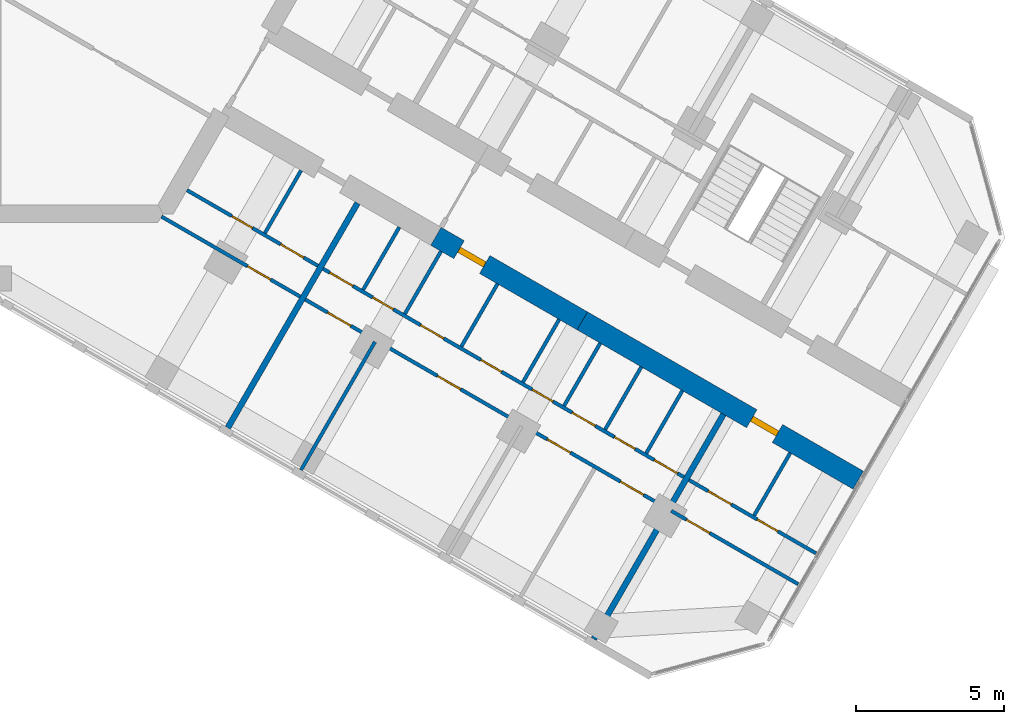
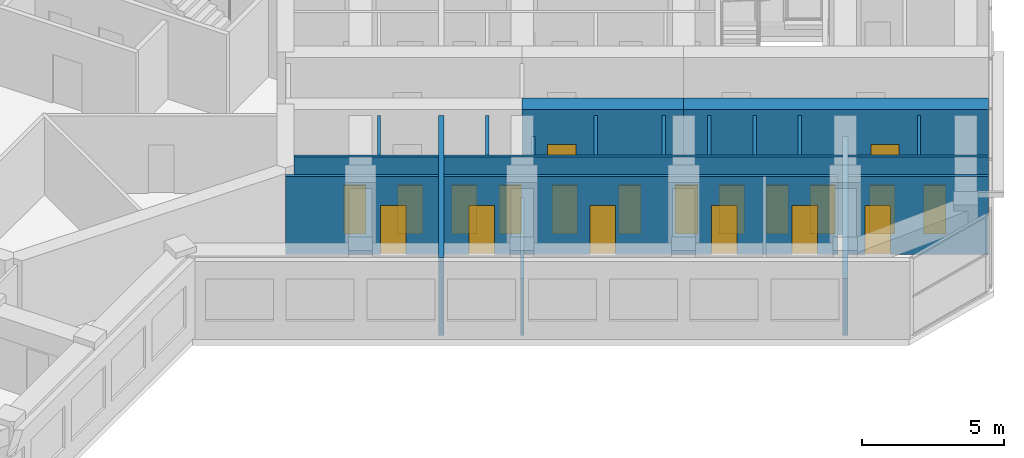
# One storey, part 11 of 16: 20 doors, 20 walls, 20 openings.
"""IFC4 building model written with IfcOpenShell, lengths in metres."""

from ifc_helpers import new_model, si_unit, direction, frame, frame_2d, origin, place, context, subcontext, project, spatial, rectangle, extrude, material, layer, layer_set, type_object, element, fill, save


model = new_model("IFC4")

# Units and contexts
model_context = context("Model", 3, precision=1e-05, world=origin(), true_north=direction((0.0, 1.0)))
body_context = subcontext(model_context, "Body", "Model", "MODEL_VIEW")
ifc_project = project(units=[si_unit("LENGTHUNIT", "METRE"), si_unit("AREAUNIT", "SQUARE_METRE"), si_unit("VOLUMEUNIT", "CUBIC_METRE"), si_unit("PLANEANGLEUNIT", "RADIAN"), si_unit("MASSUNIT", "GRAM", prefix="KILO")], contexts=[model_context])

# Site, building, storey
site_placement = place(None, origin())
site = spatial("IfcSite", under=ifc_project, at=site_placement, CompositionType="ELEMENT")
building_placement = place(site_placement, origin())
building = spatial("IfcBuilding", under=site, at=building_placement, Name="Kosmar Iwan School Tower", CompositionType="ELEMENT")
storey_placement = place(building_placement, frame((0.0, 0.0, 242.39990234375)))
storey = spatial("IfcBuildingStorey", under=building, at=storey_placement, Name="L61", CompositionType="ELEMENT", Elevation=242.39990234375)

# Wall, opening, door
ifc_material_1 = material(Name="Concrete C50/60", Category="concrete")
ifc_layer_1 = layer(ifc_material_1, 0.699951171875)
ifc_layer_set_1 = layer_set([ifc_layer_1], Name="Corridor buttress wall 700")
wall_type_1 = type_object("IfcWallType", Name="Corridor buttress wall 700", PredefinedType="SHEAR", material=ifc_layer_set_1)
wall_1_placement = place(storey_placement, frame((14.7451171875, -10.360595703125, 0.0), z_axis=(0.0, 0.0, 1.0), x_axis=(0.866015111908, -0.50001782563, 0.0)))
wall_1 = element("IfcWall", 1, at=wall_1_placement, inside=storey, type_object=wall_type_1, Name="Corridor wall CR bay 2", PredefinedType="SHEAR", context=body_context, shape_type="SweptSolid", body=[
    extrude(rectangle(XDim=5.699951171875, YDim=0.699951171875, at=frame_2d((2.85009765625, 0.0))), origin(), (0.0, 0.0, 1.0), 3.60009765625),
])
opening_1_placement = place(wall_1_placement, frame((0.89990234375, 0.0, 0.0)))
opening_1 = element("IfcOpeningElement", 2, at=opening_1_placement, cuts=wall_1, Name="Opening D1", PredefinedType="OPENING", context=body_context, shape_type="SweptSolid", body=[
    extrude(rectangle(XDim=1.0, YDim=2.10009765625, at=frame_2d((0.5, 1.050048828125))), frame((0.0, 0.362060546875, 0.0), z_axis=(0.0, -1.0, 0.0), x_axis=(1.0, 0.0, 0.0)), (0.0, 0.0, 1.0), 0.723876953125),
])
ifc_material_2 = material(Name="Timber fire door in steel frame", Category="steel")
door_type_1 = type_object("IfcDoorType", Name="Flat entrance door 1000x2100", OperationType="SINGLE_SWING_LEFT", PredefinedType="DOOR", material=ifc_material_2)
door_1_placement = place(opening_1_placement, origin())
door_1 = element("IfcDoor", 3, at=door_1_placement, inside=storey, type_object=door_type_1, Name="Flat L61-CR2 entrance door", OperationType="SINGLE_SWING_LEFT", OverallHeight=2.10009765625, OverallWidth=1.0, PredefinedType="DOOR", context=body_context, shape_type="SweptSolid", body=[
    extrude(rectangle(XDim=1.0, YDim=2.10009765625, at=frame_2d((0.5, 1.050048828125))), frame((0.0, 0.10009765625, 0.0), z_axis=(0.0, -1.0, 0.0), x_axis=(1.0, 0.0, 0.0)), (0.0, 0.0, 1.0), 0.199951171875),
])
fill(opening_1, door_1)

wall_2_placement = place(storey_placement, frame((19.681396484375, -13.210693359375, 0.0), z_axis=(0.0, 0.0, 1.0), x_axis=(0.866028186671, -0.499995179869, 0.0)))
wall_2 = element("IfcWall", 4, at=wall_2_placement, inside=storey, type_object=wall_type_1, Name="Corridor wall CR bay 3", PredefinedType="SHEAR", context=body_context, shape_type="SweptSolid", body=[
    extrude(rectangle(XDim=10.7451171875, YDim=0.699951171875, at=frame_2d((5.37255859375, 0.0))), origin(), (0.0, 0.0, 1.0), 3.60009765625),
])
opening_2_placement = place(wall_2_placement, frame((6.60009765625, 0.0, 0.0)))
opening_2 = element("IfcOpeningElement", 5, at=opening_2_placement, cuts=wall_2, Name="Opening D1", PredefinedType="OPENING", context=body_context, shape_type="SweptSolid", body=[
    extrude(rectangle(XDim=1.0, YDim=2.10009765625, at=frame_2d((0.5, 1.050048828125))), frame((0.0, 0.362060546875, 0.0), z_axis=(0.0, -1.0, 0.0), x_axis=(1.0, 0.0, 0.0)), (0.0, 0.0, 1.0), 0.723876953125),
])
door_2_placement = place(opening_2_placement, origin())
door_2 = element("IfcDoor", 6, at=door_2_placement, inside=storey, type_object=door_type_1, Name="Flat L61-CR3 entrance door", OperationType="SINGLE_SWING_RIGHT", OverallHeight=2.10009765625, OverallWidth=1.0, PredefinedType="DOOR", context=body_context, shape_type="SweptSolid", body=[
    extrude(rectangle(XDim=1.0, YDim=2.10009765625, at=frame_2d((0.5, 1.050048828125))), frame((0.0, 0.10009765625, 0.0), z_axis=(0.0, -1.0, 0.0), x_axis=(1.0, 0.0, 0.0)), (0.0, 0.0, 1.0), 0.199951171875),
])
fill(opening_2, door_2)

# Wall, openings, doors
ifc_material_3 = material(Name="Gypsum board on steel studs", Category="steel")
ifc_layer_2 = layer(ifc_material_3, 0.1201171875)
ifc_layer_set_2 = layer_set([ifc_layer_2], Name="Dwelling partition 120")
wall_type_2 = type_object("IfcWallType", Name="Dwelling partition 120", PredefinedType="PARTITIONING", material=ifc_layer_set_2)
wall_3_placement = place(storey_placement, frame((6.3486328125, -8.8037109375, 0.0), z_axis=(0.0, 0.0, 1.0), x_axis=(0.86602216432, -0.500005610874, 0.0)))
wall_3 = element("IfcWall", 7, at=wall_3_placement, inside=storey, type_object=wall_type_2, Name="Partition L61-CR1-W1", PredefinedType="PARTITIONING", context=body_context, shape_type="SweptSolid", body=[
    extrude(rectangle(XDim=5.10009765625, YDim=0.1201171875, at=frame_2d((2.550048828125, 0.0))), origin(), (0.0, 0.0, 1.0), 3.35009765625),
])
opening_3_placement = place(wall_3_placement, frame((1.75, 0.0, 0.0)))
opening_3 = element("IfcOpeningElement", 8, at=opening_3_placement, cuts=wall_3, Name="Opening D3", PredefinedType="OPENING", context=body_context, shape_type="SweptSolid", body=[
    extrude(rectangle(XDim=0.800048828125, YDim=2.10009765625, at=frame_2d((0.39990234375, 1.050048828125))), frame((0.0, 0.072021484375, 0.0), z_axis=(0.0, -1.0, 0.0), x_axis=(1.0, 0.0, 0.0)), (0.0, 0.0, 1.0), 0.14404296875),
])
opening_4_placement = place(wall_3_placement, frame((3.64990234375, 0.0, 0.0)))
opening_4 = element("IfcOpeningElement", 9, at=opening_4_placement, cuts=wall_3, Name="Opening D2", PredefinedType="OPENING", context=body_context, shape_type="SweptSolid", body=[
    extrude(rectangle(XDim=0.89990234375, YDim=2.10009765625, at=frame_2d((0.449951171875, 1.050048828125))), frame((0.0, 0.072021484375, 0.0), z_axis=(0.0, -1.0, 0.0), x_axis=(1.0, 0.0, 0.0)), (0.0, 0.0, 1.0), 0.14404296875),
])
ifc_material_4 = material(Name="Timber door in timber frame", Category="wood")
door_type_2 = type_object("IfcDoorType", Name="Internal door 900x2100", OperationType="SINGLE_SWING_LEFT", PredefinedType="DOOR", material=ifc_material_4)
door_3_placement = place(opening_4_placement, origin())
door_3 = element("IfcDoor", 10, at=door_3_placement, inside=storey, type_object=door_type_2, Name="Entrance hall door L61-CR1-S2", OperationType="SINGLE_SWING_RIGHT", OverallHeight=2.10009765625, OverallWidth=0.89990234375, PredefinedType="DOOR", context=body_context, shape_type="SweptSolid", body=[
    extrude(rectangle(XDim=0.89990234375, YDim=2.10009765625, at=frame_2d((0.449951171875, 1.050048828125))), frame((0.0, 0.02490234375, 0.0), z_axis=(0.0, -1.0, 0.0), x_axis=(1.0, 0.0, 0.0)), (0.0, 0.0, 1.0), 0.050048828125),
])
fill(opening_4, door_3)
ifc_material_5 = material(Name="Timber door in timber frame", Category="wood")
door_type_3 = type_object("IfcDoorType", Name="Sanitary room door 800x2100", OperationType="SINGLE_SWING_LEFT", PredefinedType="DOOR", material=ifc_material_5)
door_4_placement = place(opening_3_placement, origin())
door_4 = element("IfcDoor", 11, at=door_4_placement, inside=storey, type_object=door_type_3, Name="Bathroom door L61-CR1-S1", OperationType="SINGLE_SWING_RIGHT", OverallHeight=2.10009765625, OverallWidth=0.800048828125, PredefinedType="DOOR", context=body_context, shape_type="SweptSolid", body=[
    extrude(rectangle(XDim=0.800048828125, YDim=2.10009765625, at=frame_2d((0.39990234375, 1.050048828125))), frame((0.0, 0.02490234375, 0.0), z_axis=(0.0, -1.0, 0.0), x_axis=(1.0, 0.0, 0.0)), (0.0, 0.0, 1.0), 0.050048828125),
])
fill(opening_3, door_4)

# Wall, opening, door
wall_4_placement = place(storey_placement, frame((5.48876953125, -9.693115234375, 0.0), z_axis=(0.0, 0.0, 1.0), x_axis=(0.866028230842, -0.499995103361, 0.0)))
wall_4 = element("IfcWall", 12, at=wall_4_placement, inside=storey, type_object=wall_type_2, Name="Partition L61-CR1-W2", PredefinedType="PARTITIONING", context=body_context, shape_type="SweptSolid", body=[
    extrude(rectangle(XDim=5.39990234375, YDim=0.1201171875, at=frame_2d((2.699951171875, 0.0))), origin(), (0.0, 0.0, 1.0), 3.35009765625),
])
opening_5_placement = place(wall_4_placement, frame((3.35009765625, 0.0, 0.0)))
opening_5 = element("IfcOpeningElement", 13, at=opening_5_placement, cuts=wall_4, Name="Opening D2", PredefinedType="OPENING", context=body_context, shape_type="SweptSolid", body=[
    extrude(rectangle(XDim=0.89990234375, YDim=2.10009765625, at=frame_2d((0.449951171875, 1.050048828125))), frame((0.0, 0.072021484375, 0.0), z_axis=(0.0, -1.0, 0.0), x_axis=(1.0, 0.0, 0.0)), (0.0, 0.0, 1.0), 0.14404296875),
])
door_5_placement = place(opening_5_placement, origin())
door_5 = element("IfcDoor", 14, at=door_5_placement, inside=storey, type_object=door_type_2, Name="Studio living room and kitchen door L61-CR1-F1", OperationType="SINGLE_SWING_RIGHT", OverallHeight=2.10009765625, OverallWidth=0.89990234375, PredefinedType="DOOR", context=body_context, shape_type="SweptSolid", body=[
    extrude(rectangle(XDim=0.89990234375, YDim=2.10009765625, at=frame_2d((0.449951171875, 1.050048828125))), frame((0.0, 0.02490234375, 0.0), z_axis=(0.0, -1.0, 0.0), x_axis=(1.0, 0.0, 0.0)), (0.0, 0.0, 1.0), 0.050048828125),
])
fill(opening_5, door_5)

# Wall
wall_5_placement = place(storey_placement, frame((10.19677734375, -8.138671875, 0.0), z_axis=(0.0, 0.0, 1.0), x_axis=(-0.499959183527, -0.866048967903, 0.0)))
element("IfcWall", 15, at=wall_5_placement, inside=storey, type_object=wall_type_2, Name="Partition L61-CR1-Y1", PredefinedType="PARTITIONING", context=body_context, shape_type="SweptSolid", body=[
    extrude(rectangle(XDim=2.440185546875, YDim=0.1201171875, at=frame_2d((1.22021484375, 0.0))), origin(), (0.0, 0.0, 1.0), 3.35009765625),
])

# Wall, openings, doors
wall_6_placement = place(storey_placement, frame((10.9384765625, -11.453857421875, 0.0), z_axis=(0.0, 0.0, 1.0), x_axis=(0.86602961784, -0.499992700971, 0.0)))
wall_6 = element("IfcWall", 16, at=wall_6_placement, inside=storey, type_object=wall_type_2, Name="Partition L61-CR2-W1", PredefinedType="PARTITIONING", context=body_context, shape_type="SweptSolid", body=[
    extrude(rectangle(XDim=14.050048828125, YDim=0.1201171875, at=frame_2d((7.02490234375, 0.0))), origin(), (0.0, 0.0, 1.0), 3.35009765625),
])
opening_6_placement = place(wall_6_placement, frame((0.262451171875, 0.0, 0.0)))
opening_6 = element("IfcOpeningElement", 17, at=opening_6_placement, cuts=wall_6, Name="Opening D2", PredefinedType="OPENING", context=body_context, shape_type="SweptSolid", body=[
    extrude(rectangle(XDim=0.89990234375, YDim=2.10009765625, at=frame_2d((0.449951171875, 1.050048828125))), frame((0.0, 0.072021484375, 0.0), z_axis=(0.0, -1.0, 0.0), x_axis=(1.0, 0.0, 0.0)), (0.0, 0.0, 1.0), 0.14404296875),
])
opening_7_placement = place(wall_6_placement, frame((1.9375, 0.0, 0.0)))
opening_7 = element("IfcOpeningElement", 18, at=opening_7_placement, cuts=wall_6, Name="Opening D3", PredefinedType="OPENING", context=body_context, shape_type="SweptSolid", body=[
    extrude(rectangle(XDim=0.800048828125, YDim=2.10009765625, at=frame_2d((0.39990234375, 1.050048828125))), frame((0.0, 0.072021484375, 0.0), z_axis=(0.0, -1.0, 0.0), x_axis=(1.0, 0.0, 0.0)), (0.0, 0.0, 1.0), 0.14404296875),
])
opening_8_placement = place(wall_6_placement, frame((3.800048828125, 0.0, 0.0)))
opening_8 = element("IfcOpeningElement", 19, at=opening_8_placement, cuts=wall_6, Name="Opening D2", PredefinedType="OPENING", context=body_context, shape_type="SweptSolid", body=[
    extrude(rectangle(XDim=0.89990234375, YDim=2.10009765625, at=frame_2d((0.449951171875, 1.050048828125))), frame((0.0, 0.072021484375, 0.0), z_axis=(0.0, -1.0, 0.0), x_axis=(1.0, 0.0, 0.0)), (0.0, 0.0, 1.0), 0.14404296875),
])
opening_9_placement = place(wall_6_placement, frame((6.14990234375, 0.0, 0.0)))
opening_9 = element("IfcOpeningElement", 20, at=opening_9_placement, cuts=wall_6, Name="Opening D3", PredefinedType="OPENING", context=body_context, shape_type="SweptSolid", body=[
    extrude(rectangle(XDim=0.800048828125, YDim=2.10009765625, at=frame_2d((0.39990234375, 1.050048828125))), frame((0.0, 0.072021484375, 0.0), z_axis=(0.0, -1.0, 0.0), x_axis=(1.0, 0.0, 0.0)), (0.0, 0.0, 1.0), 0.14404296875),
])
opening_10_placement = place(wall_6_placement, frame((8.14990234375, 0.0, 0.0)))
opening_10 = element("IfcOpeningElement", 21, at=opening_10_placement, cuts=wall_6, Name="Opening D3", PredefinedType="OPENING", context=body_context, shape_type="SweptSolid", body=[
    extrude(rectangle(XDim=0.800048828125, YDim=2.10009765625, at=frame_2d((0.39990234375, 1.050048828125))), frame((0.0, 0.072021484375, 0.0), z_axis=(0.0, -1.0, 0.0), x_axis=(1.0, 0.0, 0.0)), (0.0, 0.0, 1.0), 0.14404296875),
])
opening_11_placement = place(wall_6_placement, frame((9.699951171875, 0.0, 0.0)))
opening_11 = element("IfcOpeningElement", 22, at=opening_11_placement, cuts=wall_6, Name="Opening D2", PredefinedType="OPENING", context=body_context, shape_type="SweptSolid", body=[
    extrude(rectangle(XDim=0.89990234375, YDim=2.10009765625, at=frame_2d((0.449951171875, 1.050048828125))), frame((0.0, 0.072021484375, 0.0), z_axis=(0.0, -1.0, 0.0), x_axis=(1.0, 0.0, 0.0)), (0.0, 0.0, 1.0), 0.14404296875),
])
opening_12_placement = place(wall_6_placement, frame((11.35009765625, 0.0, 0.0)))
opening_12 = element("IfcOpeningElement", 23, at=opening_12_placement, cuts=wall_6, Name="Opening D3", PredefinedType="OPENING", context=body_context, shape_type="SweptSolid", body=[
    extrude(rectangle(XDim=0.800048828125, YDim=2.10009765625, at=frame_2d((0.39990234375, 1.050048828125))), frame((0.0, 0.072021484375, 0.0), z_axis=(0.0, -1.0, 0.0), x_axis=(1.0, 0.0, 0.0)), (0.0, 0.0, 1.0), 0.14404296875),
])
opening_13_placement = place(wall_6_placement, frame((12.89990234375, 0.0, 0.0)))
opening_13 = element("IfcOpeningElement", 24, at=opening_13_placement, cuts=wall_6, Name="Opening D2", PredefinedType="OPENING", context=body_context, shape_type="SweptSolid", body=[
    extrude(rectangle(XDim=0.89990234375, YDim=2.10009765625, at=frame_2d((0.449951171875, 1.050048828125))), frame((0.0, 0.072021484375, 0.0), z_axis=(0.0, -1.0, 0.0), x_axis=(1.0, 0.0, 0.0)), (0.0, 0.0, 1.0), 0.14404296875),
])
door_6_placement = place(opening_6_placement, origin())
door_6 = element("IfcDoor", 25, at=door_6_placement, inside=storey, type_object=door_type_2, Name="Utility room door L61-CR2-S1", OperationType="SINGLE_SWING_LEFT", OverallHeight=2.10009765625, OverallWidth=0.89990234375, PredefinedType="DOOR", context=body_context, shape_type="SweptSolid", body=[
    extrude(rectangle(XDim=0.89990234375, YDim=2.10009765625, at=frame_2d((0.449951171875, 1.050048828125))), frame((0.0, 0.02490234375, 0.0), z_axis=(0.0, -1.0, 0.0), x_axis=(1.0, 0.0, 0.0)), (0.0, 0.0, 1.0), 0.050048828125),
])
fill(opening_6, door_6)
door_7_placement = place(opening_8_placement, origin())
door_7 = element("IfcDoor", 26, at=door_7_placement, inside=storey, type_object=door_type_2, Name="Entrance hall door L61-CR2-S3", OperationType="SINGLE_SWING_LEFT", OverallHeight=2.10009765625, OverallWidth=0.89990234375, PredefinedType="DOOR", context=body_context, shape_type="SweptSolid", body=[
    extrude(rectangle(XDim=0.89990234375, YDim=2.10009765625, at=frame_2d((0.449951171875, 1.050048828125))), frame((0.0, 0.02490234375, 0.0), z_axis=(0.0, -1.0, 0.0), x_axis=(1.0, 0.0, 0.0)), (0.0, 0.0, 1.0), 0.050048828125),
])
fill(opening_8, door_7)
door_8_placement = place(opening_11_placement, origin())
door_8 = element("IfcDoor", 27, at=door_8_placement, inside=storey, type_object=door_type_2, Name="Pantry door L61-CR2-S6", OperationType="SINGLE_SWING_RIGHT", OverallHeight=2.10009765625, OverallWidth=0.89990234375, PredefinedType="DOOR", context=body_context, shape_type="SweptSolid", body=[
    extrude(rectangle(XDim=0.89990234375, YDim=2.10009765625, at=frame_2d((0.449951171875, 1.050048828125))), frame((0.0, 0.02490234375, 0.0), z_axis=(0.0, -1.0, 0.0), x_axis=(1.0, 0.0, 0.0)), (0.0, 0.0, 1.0), 0.050048828125),
])
fill(opening_11, door_8)
door_9_placement = place(opening_13_placement, origin())
door_9 = element("IfcDoor", 28, at=door_9_placement, inside=storey, type_object=door_type_2, Name="Dressing room door L61-CR2-S8", OperationType="SINGLE_SWING_RIGHT", OverallHeight=2.10009765625, OverallWidth=0.89990234375, PredefinedType="DOOR", context=body_context, shape_type="SweptSolid", body=[
    extrude(rectangle(XDim=0.89990234375, YDim=2.10009765625, at=frame_2d((0.449951171875, 1.050048828125))), frame((0.0, 0.02490234375, 0.0), z_axis=(0.0, -1.0, 0.0), x_axis=(1.0, 0.0, 0.0)), (0.0, 0.0, 1.0), 0.050048828125),
])
fill(opening_13, door_9)
door_10_placement = place(opening_7_placement, origin())
door_10 = element("IfcDoor", 29, at=door_10_placement, inside=storey, type_object=door_type_3, Name="WC door L61-CR2-S2", OperationType="SINGLE_SWING_RIGHT", OverallHeight=2.10009765625, OverallWidth=0.800048828125, PredefinedType="DOOR", context=body_context, shape_type="SweptSolid", body=[
    extrude(rectangle(XDim=0.800048828125, YDim=2.10009765625, at=frame_2d((0.39990234375, 1.050048828125))), frame((0.0, 0.02490234375, 0.0), z_axis=(0.0, -1.0, 0.0), x_axis=(1.0, 0.0, 0.0)), (0.0, 0.0, 1.0), 0.050048828125),
])
fill(opening_7, door_10)
door_11_placement = place(opening_9_placement, origin())
door_11 = element("IfcDoor", 30, at=door_11_placement, inside=storey, type_object=door_type_3, Name="Bathroom door L61-CR2-S4", OperationType="SINGLE_SWING_RIGHT", OverallHeight=2.10009765625, OverallWidth=0.800048828125, PredefinedType="DOOR", context=body_context, shape_type="SweptSolid", body=[
    extrude(rectangle(XDim=0.800048828125, YDim=2.10009765625, at=frame_2d((0.39990234375, 1.050048828125))), frame((0.0, 0.02490234375, 0.0), z_axis=(0.0, -1.0, 0.0), x_axis=(1.0, 0.0, 0.0)), (0.0, 0.0, 1.0), 0.050048828125),
])
fill(opening_9, door_11)
door_12_placement = place(opening_10_placement, origin())
door_12 = element("IfcDoor", 31, at=door_12_placement, inside=storey, type_object=door_type_3, Name="Shower room door L61-CR2-S5", OperationType="SINGLE_SWING_LEFT", OverallHeight=2.10009765625, OverallWidth=0.800048828125, PredefinedType="DOOR", context=body_context, shape_type="SweptSolid", body=[
    extrude(rectangle(XDim=0.800048828125, YDim=2.10009765625, at=frame_2d((0.39990234375, 1.050048828125))), frame((0.0, 0.02490234375, 0.0), z_axis=(0.0, -1.0, 0.0), x_axis=(1.0, 0.0, 0.0)), (0.0, 0.0, 1.0), 0.050048828125),
])
fill(opening_10, door_12)
door_13_placement = place(opening_12_placement, origin())
door_13 = element("IfcDoor", 32, at=door_13_placement, inside=storey, type_object=door_type_3, Name="Store door L61-CR2-S7", OperationType="SINGLE_SWING_LEFT", OverallHeight=2.10009765625, OverallWidth=0.800048828125, PredefinedType="DOOR", context=body_context, shape_type="SweptSolid", body=[
    extrude(rectangle(XDim=0.800048828125, YDim=2.10009765625, at=frame_2d((0.39990234375, 1.050048828125))), frame((0.0, 0.02490234375, 0.0), z_axis=(0.0, -1.0, 0.0), x_axis=(1.0, 0.0, 0.0)), (0.0, 0.0, 1.0), 0.050048828125),
])
fill(opening_12, door_13)

wall_7_placement = place(storey_placement, frame((10.338623046875, -12.492919921875, 0.0), z_axis=(0.0, 0.0, 1.0), x_axis=(0.866016523273, -0.500015381182, 0.0)))
wall_7 = element("IfcWall", 33, at=wall_7_placement, inside=storey, type_object=wall_type_2, Name="Partition L61-CR2-W2", PredefinedType="PARTITIONING", context=body_context, shape_type="SweptSolid", body=[
    extrude(rectangle(XDim=13.89990234375, YDim=0.1201171875, at=frame_2d((6.949951171875, 0.0))), origin(), (0.0, 0.0, 1.0), 3.35009765625),
])
opening_14_placement = place(wall_7_placement, frame((0.875, 0.0, 0.0)))
opening_14 = element("IfcOpeningElement", 34, at=opening_14_placement, cuts=wall_7, Name="Opening D2", PredefinedType="OPENING", context=body_context, shape_type="SweptSolid", body=[
    extrude(rectangle(XDim=0.89990234375, YDim=2.10009765625, at=frame_2d((0.449951171875, 1.050048828125))), frame((0.0, 0.072021484375, 0.0), z_axis=(0.0, -1.0, 0.0), x_axis=(1.0, 0.0, 0.0)), (0.0, 0.0, 1.0), 0.14404296875),
])
opening_15_placement = place(wall_7_placement, frame((5.14990234375, 0.0, 0.0)))
opening_15 = element("IfcOpeningElement", 35, at=opening_15_placement, cuts=wall_7, Name="Opening D2", PredefinedType="OPENING", context=body_context, shape_type="SweptSolid", body=[
    extrude(rectangle(XDim=0.89990234375, YDim=2.10009765625, at=frame_2d((0.449951171875, 1.050048828125))), frame((0.0, 0.072021484375, 0.0), z_axis=(0.0, -1.0, 0.0), x_axis=(1.0, 0.0, 0.0)), (0.0, 0.0, 1.0), 0.14404296875),
])
opening_16_placement = place(wall_7_placement, frame((9.425048828125, 0.0, 0.0)))
opening_16 = element("IfcOpeningElement", 36, at=opening_16_placement, cuts=wall_7, Name="Opening D2", PredefinedType="OPENING", context=body_context, shape_type="SweptSolid", body=[
    extrude(rectangle(XDim=0.89990234375, YDim=2.10009765625, at=frame_2d((0.449951171875, 1.050048828125))), frame((0.0, 0.072021484375, 0.0), z_axis=(0.0, -1.0, 0.0), x_axis=(1.0, 0.0, 0.0)), (0.0, 0.0, 1.0), 0.14404296875),
])
opening_17_placement = place(wall_7_placement, frame((12.27490234375, 0.0, 0.0)))
opening_17 = element("IfcOpeningElement", 37, at=opening_17_placement, cuts=wall_7, Name="Opening D2", PredefinedType="OPENING", context=body_context, shape_type="SweptSolid", body=[
    extrude(rectangle(XDim=0.89990234375, YDim=2.10009765625, at=frame_2d((0.449951171875, 1.050048828125))), frame((0.0, 0.072021484375, 0.0), z_axis=(0.0, -1.0, 0.0), x_axis=(1.0, 0.0, 0.0)), (0.0, 0.0, 1.0), 0.14404296875),
])
door_14_placement = place(opening_14_placement, origin())
door_14 = element("IfcDoor", 38, at=door_14_placement, inside=storey, type_object=door_type_2, Name="Bedroom 1 door L61-CR2-F1", OperationType="SINGLE_SWING_LEFT", OverallHeight=2.10009765625, OverallWidth=0.89990234375, PredefinedType="DOOR", context=body_context, shape_type="SweptSolid", body=[
    extrude(rectangle(XDim=0.89990234375, YDim=2.10009765625, at=frame_2d((0.449951171875, 1.050048828125))), frame((0.0, 0.02490234375, 0.0), z_axis=(0.0, -1.0, 0.0), x_axis=(1.0, 0.0, 0.0)), (0.0, 0.0, 1.0), 0.050048828125),
])
fill(opening_14, door_14)
door_15_placement = place(opening_15_placement, origin())
door_15 = element("IfcDoor", 39, at=door_15_placement, inside=storey, type_object=door_type_2, Name="Living room and kitchen door L61-CR2-F2", OperationType="SINGLE_SWING_LEFT", OverallHeight=2.10009765625, OverallWidth=0.89990234375, PredefinedType="DOOR", context=body_context, shape_type="SweptSolid", body=[
    extrude(rectangle(XDim=0.89990234375, YDim=2.10009765625, at=frame_2d((0.449951171875, 1.050048828125))), frame((0.0, 0.02490234375, 0.0), z_axis=(0.0, -1.0, 0.0), x_axis=(1.0, 0.0, 0.0)), (0.0, 0.0, 1.0), 0.050048828125),
])
fill(opening_15, door_15)
door_16_placement = place(opening_16_placement, origin())
door_16 = element("IfcDoor", 40, at=door_16_placement, inside=storey, type_object=door_type_2, Name="Bedroom 3 door L61-CR2-F3", OperationType="SINGLE_SWING_RIGHT", OverallHeight=2.10009765625, OverallWidth=0.89990234375, PredefinedType="DOOR", context=body_context, shape_type="SweptSolid", body=[
    extrude(rectangle(XDim=0.89990234375, YDim=2.10009765625, at=frame_2d((0.449951171875, 1.050048828125))), frame((0.0, 0.02490234375, 0.0), z_axis=(0.0, -1.0, 0.0), x_axis=(1.0, 0.0, 0.0)), (0.0, 0.0, 1.0), 0.050048828125),
])
fill(opening_16, door_16)
door_17_placement = place(opening_17_placement, origin())
door_17 = element("IfcDoor", 41, at=door_17_placement, inside=storey, type_object=door_type_2, Name="Bedroom 2 door L61-CR2-F4", OperationType="SINGLE_SWING_RIGHT", OverallHeight=2.10009765625, OverallWidth=0.89990234375, PredefinedType="DOOR", context=body_context, shape_type="SweptSolid", body=[
    extrude(rectangle(XDim=0.89990234375, YDim=2.10009765625, at=frame_2d((0.449951171875, 1.050048828125))), frame((0.0, 0.02490234375, 0.0), z_axis=(0.0, -1.0, 0.0), x_axis=(1.0, 0.0, 0.0)), (0.0, 0.0, 1.0), 0.050048828125),
])
fill(opening_17, door_17)

# Walls
wall_8_placement = place(storey_placement, frame((12.690185546875, -13.919921875, 0.0), z_axis=(0.0, 0.0, 1.0), x_axis=(-0.500011847778, -0.866018563358, 0.0)))
element("IfcWall", 42, at=wall_8_placement, inside=storey, type_object=wall_type_2, Name="Partition L61-CR2-X1", PredefinedType="PARTITIONING", context=body_context, shape_type="SweptSolid", body=[
    extrude(rectangle(XDim=4.990234375, YDim=0.1201171875, at=frame_2d((2.4951171875, 0.0))), origin(), (0.0, 0.0, 1.0), 2.4501953125),
])
wall_9_placement = place(storey_placement, frame((13.50927734375, -10.05126953125, 0.0), z_axis=(0.0, 0.0, 1.0), x_axis=(-0.500002508028, -0.866023955769, 0.0)))
element("IfcWall", 43, at=wall_9_placement, inside=storey, type_object=wall_type_2, Name="Partition L61-CR2-Y1", PredefinedType="PARTITIONING", context=body_context, shape_type="SweptSolid", body=[
    extrude(rectangle(XDim=2.43994140625, YDim=0.1201171875, at=frame_2d((1.219970703125, 0.0))), origin(), (0.0, 0.0, 1.0), 3.35009765625),
])
wall_10_placement = place(storey_placement, frame((14.91650390625, -10.86376953125, 0.0), z_axis=(0.0, 0.0, 1.0), x_axis=(-0.500002508028, -0.866023955769, 0.0)))
element("IfcWall", 44, at=wall_10_placement, inside=storey, type_object=wall_type_2, Name="Partition L61-CR2-Y2", PredefinedType="PARTITIONING", context=body_context, shape_type="SweptSolid", body=[
    extrude(rectangle(XDim=2.43994140625, YDim=0.1201171875, at=frame_2d((1.219970703125, 0.0))), origin(), (0.0, 0.0, 1.0), 2.4501953125),
])
wall_11_placement = place(storey_placement, frame((16.82177734375, -11.963623046875, 0.0), z_axis=(0.0, 0.0, 1.0), x_axis=(-0.499959183527, -0.866048967903, 0.0)))
element("IfcWall", 45, at=wall_11_placement, inside=storey, type_object=wall_type_2, Name="Partition L61-CR2-Y3", PredefinedType="PARTITIONING", context=body_context, shape_type="SweptSolid", body=[
    extrude(rectangle(XDim=2.440185546875, YDim=0.1201171875, at=frame_2d((1.22021484375, 0.0))), origin(), (0.0, 0.0, 1.0), 3.35009765625),
])
wall_12_placement = place(storey_placement, frame((18.900390625, -13.163818359375, 0.0), z_axis=(0.0, 0.0, 1.0), x_axis=(-0.500077547548, -0.865980627057, 0.0)))
element("IfcWall", 46, at=wall_12_placement, inside=storey, type_object=wall_type_2, Name="Partition L61-CR2-Y4", PredefinedType="PARTITIONING", context=body_context, shape_type="SweptSolid", body=[
    extrude(rectangle(XDim=2.43994140625, YDim=0.1201171875, at=frame_2d((1.219970703125, 0.0))), origin(), (0.0, 0.0, 1.0), 3.35009765625),
])
for number, where, z_axis, x_axis, name in (
    (47, (20.285888671875, -13.963623046875, 0.0), (0.0, 0.0, 1.0), (-0.499959183527, -0.866048967903, 0.0), "Partition L61-CR2-Y5"),
    (48, (21.671630859375, -14.763671875, 0.0), (0.0, 0.0, 1.0), (-0.499959183527, -0.866048967903, 0.0), "Partition L61-CR2-Y6"),
):
    element("IfcWall", number, at=place(storey_placement, frame(where, z_axis=z_axis, x_axis=x_axis)), inside=storey, type_object=wall_type_2, Name=name, PredefinedType="PARTITIONING", context=body_context, shape_type="SweptSolid", body=[
        extrude(rectangle(XDim=2.440185546875, YDim=0.1201171875, at=frame_2d((1.22021484375, 0.0))), origin(), (0.0, 0.0, 1.0), 3.35009765625),
    ])
wall_13_placement = place(storey_placement, frame((23.05712890625, -15.563720703125, 0.0), z_axis=(0.0, 0.0, 1.0), x_axis=(-0.500002508028, -0.866023955769, 0.0)))
element("IfcWall", 49, at=wall_13_placement, inside=storey, type_object=wall_type_2, Name="Partition L61-CR2-Y7", PredefinedType="PARTITIONING", context=body_context, shape_type="SweptSolid", body=[
    extrude(rectangle(XDim=2.43994140625, YDim=0.1201171875, at=frame_2d((1.219970703125, 0.0))), origin(), (0.0, 0.0, 1.0), 3.35009765625),
])

# Wall, openings, doors
wall_14_placement = place(storey_placement, frame((23.279541015625, -18.578857421875, 0.0), z_axis=(0.0, 0.0, 1.0), x_axis=(0.866031840221, -0.4999888516, 0.0)))
wall_14 = element("IfcWall", 50, at=wall_14_placement, inside=storey, type_object=wall_type_2, Name="Partition L61-CR3-W1", PredefinedType="PARTITIONING", context=body_context, shape_type="SweptSolid", body=[
    extrude(rectangle(XDim=4.94482421875, YDim=0.1201171875, at=frame_2d((2.472412109375, 0.0))), origin(), (0.0, 0.0, 1.0), 3.35009765625),
])
opening_18_placement = place(wall_14_placement, frame((0.75, 0.0, 0.0)))
opening_18 = element("IfcOpeningElement", 51, at=opening_18_placement, cuts=wall_14, Name="Opening D2", PredefinedType="OPENING", context=body_context, shape_type="SweptSolid", body=[
    extrude(rectangle(XDim=0.89990234375, YDim=2.10009765625, at=frame_2d((0.449951171875, 1.050048828125))), frame((0.0, 0.072021484375, 0.0), z_axis=(0.0, -1.0, 0.0), x_axis=(1.0, 0.0, 0.0)), (0.0, 0.0, 1.0), 0.14404296875),
])
opening_19_placement = place(wall_14_placement, frame((2.659912109375, 0.0, 0.0)))
opening_19 = element("IfcOpeningElement", 52, at=opening_19_placement, cuts=wall_14, Name="Opening D3", PredefinedType="OPENING", context=body_context, shape_type="SweptSolid", body=[
    extrude(rectangle(XDim=0.800048828125, YDim=2.10009765625, at=frame_2d((0.39990234375, 1.050048828125))), frame((0.0, 0.072021484375, 0.0), z_axis=(0.0, -1.0, 0.0), x_axis=(1.0, 0.0, 0.0)), (0.0, 0.0, 1.0), 0.14404296875),
])
door_18_placement = place(opening_18_placement, origin())
door_18 = element("IfcDoor", 53, at=door_18_placement, inside=storey, type_object=door_type_2, Name="Entrance hall door L61-CR3-S1", OperationType="SINGLE_SWING_RIGHT", OverallHeight=2.10009765625, OverallWidth=0.89990234375, PredefinedType="DOOR", context=body_context, shape_type="SweptSolid", body=[
    extrude(rectangle(XDim=0.89990234375, YDim=2.10009765625, at=frame_2d((0.449951171875, 1.050048828125))), frame((0.0, 0.02490234375, 0.0), z_axis=(0.0, -1.0, 0.0), x_axis=(1.0, 0.0, 0.0)), (0.0, 0.0, 1.0), 0.050048828125),
])
fill(opening_18, door_18)
door_19_placement = place(opening_19_placement, origin())
door_19 = element("IfcDoor", 54, at=door_19_placement, inside=storey, type_object=door_type_3, Name="Bathroom door L61-CR3-S2", OperationType="SINGLE_SWING_LEFT", OverallHeight=2.10009765625, OverallWidth=0.800048828125, PredefinedType="DOOR", context=body_context, shape_type="SweptSolid", body=[
    extrude(rectangle(XDim=0.800048828125, YDim=2.10009765625, at=frame_2d((0.39990234375, 1.050048828125))), frame((0.0, 0.02490234375, 0.0), z_axis=(0.0, -1.0, 0.0), x_axis=(1.0, 0.0, 0.0)), (0.0, 0.0, 1.0), 0.050048828125),
])
fill(opening_19, door_19)

# Wall, opening, door
wall_15_placement = place(storey_placement, frame((22.679443359375, -19.6181640625, 0.0), z_axis=(0.0, 0.0, 1.0), x_axis=(0.866031840221, -0.4999888516, 0.0)))
wall_15 = element("IfcWall", 55, at=wall_15_placement, inside=storey, type_object=wall_type_2, Name="Partition L61-CR3-W2", PredefinedType="PARTITIONING", context=body_context, shape_type="SweptSolid", body=[
    extrude(rectangle(XDim=4.94482421875, YDim=0.1201171875, at=frame_2d((2.472412109375, 0.0))), origin(), (0.0, 0.0, 1.0), 3.35009765625),
])
opening_20_placement = place(wall_15_placement, frame((0.60009765625, 0.0, 0.0)))
opening_20 = element("IfcOpeningElement", 56, at=opening_20_placement, cuts=wall_15, Name="Opening D2", PredefinedType="OPENING", context=body_context, shape_type="SweptSolid", body=[
    extrude(rectangle(XDim=0.89990234375, YDim=2.10009765625, at=frame_2d((0.449951171875, 1.050048828125))), frame((0.0, 0.072021484375, 0.0), z_axis=(0.0, -1.0, 0.0), x_axis=(1.0, 0.0, 0.0)), (0.0, 0.0, 1.0), 0.14404296875),
])
door_20_placement = place(opening_20_placement, origin())
door_20 = element("IfcDoor", 57, at=door_20_placement, inside=storey, type_object=door_type_2, Name="Studio living room and kitchen door L61-CR3-F1", OperationType="SINGLE_SWING_LEFT", OverallHeight=2.10009765625, OverallWidth=0.89990234375, PredefinedType="DOOR", context=body_context, shape_type="SweptSolid", body=[
    extrude(rectangle(XDim=0.89990234375, YDim=2.10009765625, at=frame_2d((0.449951171875, 1.050048828125))), frame((0.0, 0.02490234375, 0.0), z_axis=(0.0, -1.0, 0.0), x_axis=(1.0, 0.0, 0.0)), (0.0, 0.0, 1.0), 0.050048828125),
])
fill(opening_20, door_20)

# Walls
wall_16_placement = place(storey_placement, frame((26.694580078125, -17.663818359375, 0.0), z_axis=(0.0, 0.0, 1.0), x_axis=(-0.500002508028, -0.866023955769, 0.0)))
element("IfcWall", 58, at=wall_16_placement, inside=storey, type_object=wall_type_2, Name="Partition L61-CR3-Y1", PredefinedType="PARTITIONING", context=body_context, shape_type="SweptSolid", body=[
    extrude(rectangle(XDim=2.43994140625, YDim=0.1201171875, at=frame_2d((1.219970703125, 0.0))), origin(), (0.0, 0.0, 1.0), 3.35009765625),
])
ifc_material_6 = material(Name="Concrete block masonry", Category="masonry")
ifc_layer_3 = layer(ifc_material_6, 0.199951171875)
ifc_layer_set_3 = layer_set([ifc_layer_3], Name="Party wall 200")
wall_type_3 = type_object("IfcWallType", Name="Party wall 200", PredefinedType="PARTITIONING", material=ifc_layer_set_3)
wall_17_placement = place(storey_placement, frame((12.10205078125, -9.23876953125, 0.0), z_axis=(0.0, 0.0, 1.0), x_axis=(-0.500004234368, -0.866022959057, 0.0)))
element("IfcWall", 59, at=wall_17_placement, inside=storey, type_object=wall_type_3, Name="Partition L61-CR2-PW", PredefinedType="PARTITIONING", context=body_context, shape_type="SweptSolid", body=[
    extrude(rectangle(XDim=8.75, YDim=0.199951171875, at=frame_2d((4.375, 0.0))), origin(), (0.0, 0.0, 1.0), 3.35009765625),
])
wall_18_placement = place(storey_placement, frame((24.44287109375, -16.36376953125, 0.0), z_axis=(0.0, 0.0, 1.0), x_axis=(-0.500004234368, -0.866022959057, 0.0)))
element("IfcWall", 60, at=wall_18_placement, inside=storey, type_object=wall_type_3, Name="Partition L61-CR3-PW", PredefinedType="PARTITIONING", context=body_context, shape_type="SweptSolid", body=[
    extrude(rectangle(XDim=8.75, YDim=0.199951171875, at=frame_2d((4.375, 0.0))), origin(), (0.0, 0.0, 1.0), 2.4501953125),
])

save(model, "model.ifc")
